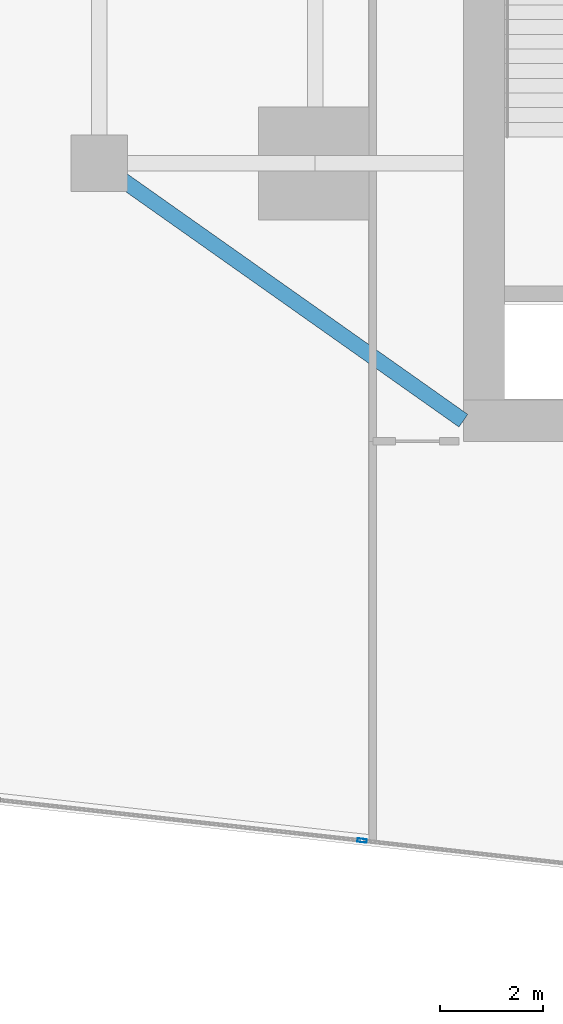
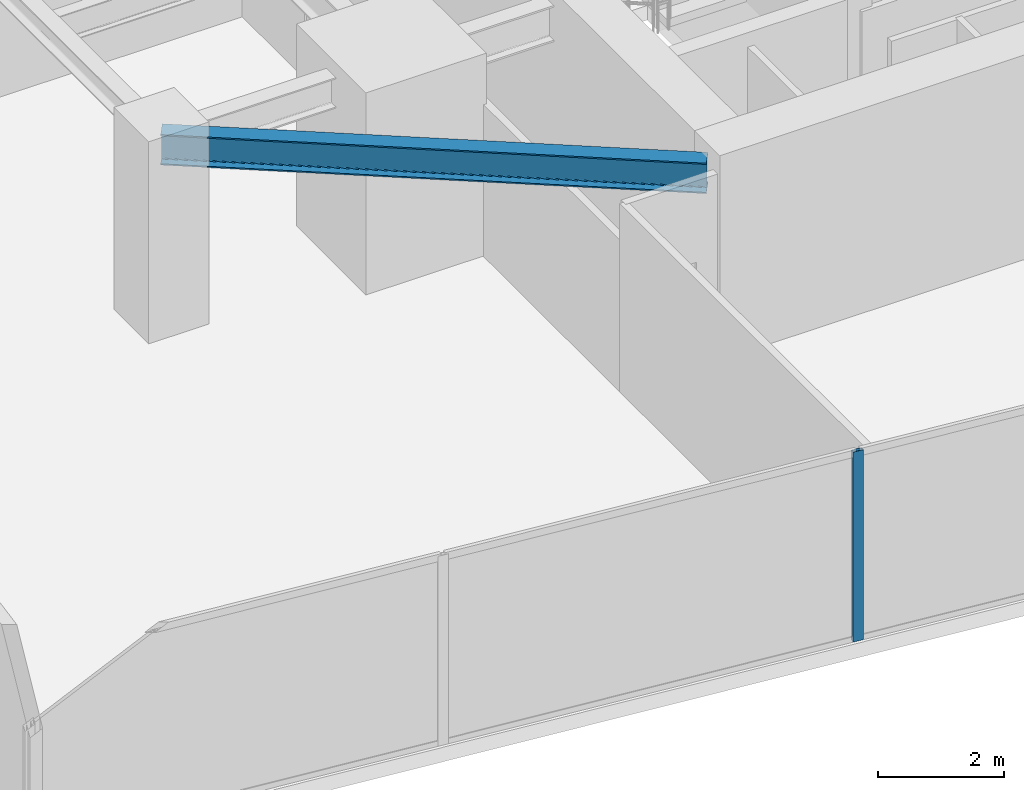
# One storey, part 4 of 31: 1 beam, 1 member, 1 element without a shape of its own.
"""IFC4 building model written with IfcOpenShell, lengths in metres."""

from ifc_helpers import new_model, si_unit, direction, frame, origin, origin_2d, place, context, subcontext, project, spatial, hollow_rectangle, i_section, extrude, source, transform, mapped, material, material_profile, profile_set, type_object, type_shapes, element, aggregate, save


model = new_model("IFC4")

# Units and contexts
model_context = context("Model", 3, precision=1e-05, world=origin(), true_north=direction((0.0, 1.0)))
body_context = subcontext(model_context, "Body", "Model", "MODEL_VIEW")
ifc_project = project(units=[si_unit("LENGTHUNIT", "METRE"), si_unit("AREAUNIT", "SQUARE_METRE"), si_unit("VOLUMEUNIT", "CUBIC_METRE"), si_unit("PLANEANGLEUNIT", "RADIAN"), si_unit("MASSUNIT", "GRAM", prefix="KILO")], contexts=[model_context])

# Site, building, storey
site_placement = place(None, origin())
site = spatial("IfcSite", under=ifc_project, at=site_placement, CompositionType="ELEMENT")
building_placement = place(site_placement, origin())
building = spatial("IfcBuilding", under=site, at=building_placement, Name="Krantzveldt Concourse Tower", CompositionType="ELEMENT")
storey_placement = place(building_placement, frame((0.0, 0.0, 56.60009765625)))
storey = spatial("IfcBuildingStorey", under=building, at=storey_placement, Name="L13", CompositionType="ELEMENT", Elevation=56.60009765625)

# Beam
ifc_material_1 = material(Name="Steel S355JR", Category="steel")
ifc_material_profile_1 = material_profile(ifc_material_1, i_section(OverallWidth=0.300048828125, OverallDepth=0.590087890625, WebThickness=0.012939453125, FlangeThickness=0.02490234375, FilletRadius=0.027099609375, at=origin_2d()), Name="Steel S355JR", Category="steel")
ifc_profile_set_1 = profile_set([ifc_material_profile_1], Name="Steel S355JR - HEA 600")
beam_type = type_object("IfcBeamType", Name="BM-B-HEA600", PredefinedType="BEAM", material=ifc_profile_set_1)
shared_shape_1 = source(origin(), body_context, "Body", "SweptSolid", [
    extrude(i_section(OverallWidth=0.300048828125, OverallDepth=0.590087890625, WebThickness=0.012939453125, FlangeThickness=0.02490234375, FilletRadius=0.027099609375, at=origin_2d()), origin(), (0.0, 0.0, 1.0), 8.667724609375),
])
type_shapes(beam_type, [shared_shape_1])
beam_placement = place(storey_placement, frame((21.0, 15.89990234375, 3.375), z_axis=(0.81684294656, -0.576860122261, 0.0), x_axis=(0.576860122261, 0.81684294656, 0.0)))
element("IfcBeam", 1, at=beam_placement, inside=storey, type_object=beam_type, Name="L13 Tower Girder BR-CSW", PredefinedType="BEAM", context=body_context, shape_type="MappedRepresentation", body=[
    mapped(shared_shape_1, transform((0.0, 0.0, 0.0), x_axis=(1.0, 0.0, 0.0), y_axis=(0.0, 1.0, 0.0), z_axis=(0.0, 0.0, 1.0), scale=1.0)),
])

# Curtain wall, member
ifc_material_2 = material(Name="Anodised aluminium 6063-T6", Category="aluminium")
curtain_wall_type = type_object("IfcCurtainWallType", Name="CW2", PredefinedType="USERDEFINED", material=ifc_material_2)
curtain_wall_placement = place(storey_placement, origin())
curtain_wall = element("IfcCurtainWall", 2, at=curtain_wall_placement, inside=storey, type_object=curtain_wall_type, Name="CW-L13-F04", ObjectType="UNITISED CURTAIN WALL", PredefinedType="USERDEFINED")
ifc_material_profile_2 = material_profile(ifc_material_2, hollow_rectangle(XDim=0.070068359375, YDim=0.179931640625, WallThickness=0.0048828125, at=origin_2d()), Name="Anodised aluminium 6063-T6", Category="aluminium")
ifc_profile_set_2 = profile_set([ifc_material_profile_2], Name="Anodised aluminium 6063-T6 - ALU-MULL 180x70x5")
member_type = type_object("IfcMemberType", Name="CW-MUL-180", PredefinedType="MULLION", material=ifc_profile_set_2)
shared_shape_2 = source(origin(), body_context, "Body", "SweptSolid", [
    extrude(hollow_rectangle(XDim=0.070068359375, YDim=0.179931640625, WallThickness=0.0048828125, at=origin_2d()), origin(), (0.0, 0.0, 1.0), 3.669921875),
])
type_shapes(member_type, [shared_shape_2])
member_placement = place(storey_placement, frame((26.11181640625, 2.73974609375, 0.0), z_axis=(0.0, 0.0, 1.0), x_axis=(0.111035342863, 0.993816458223, 0.0)))
member = element("IfcMember", 3, at=member_placement, type_object=member_type, Name="CW-Z12 mullion 3", PredefinedType="MULLION", context=body_context, shape_type="MappedRepresentation", body=[
    mapped(shared_shape_2, transform((0.0, 0.0, 0.0), x_axis=(1.0, 0.0, 0.0), y_axis=(0.0, 1.0, 0.0), z_axis=(0.0, 0.0, 1.0), scale=1.0)),
])
aggregate(curtain_wall, [member])

save(model, "model.ifc")
